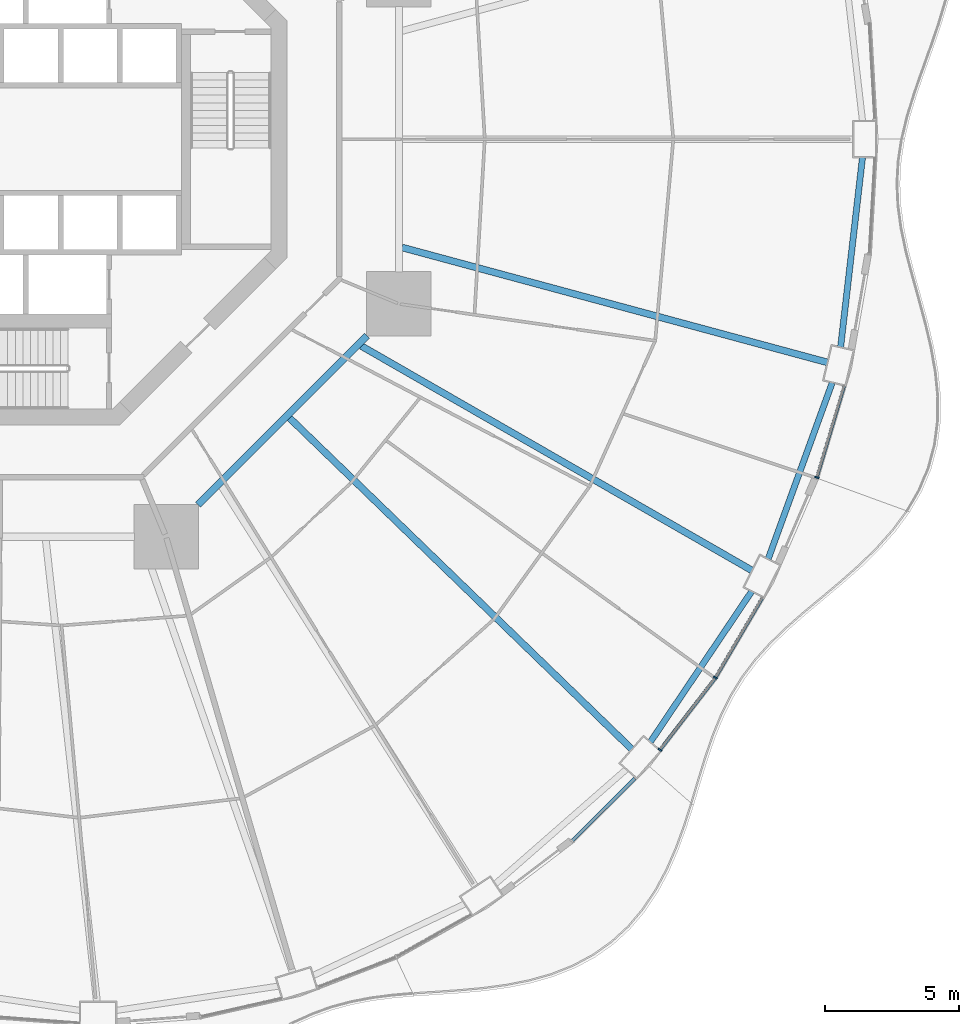
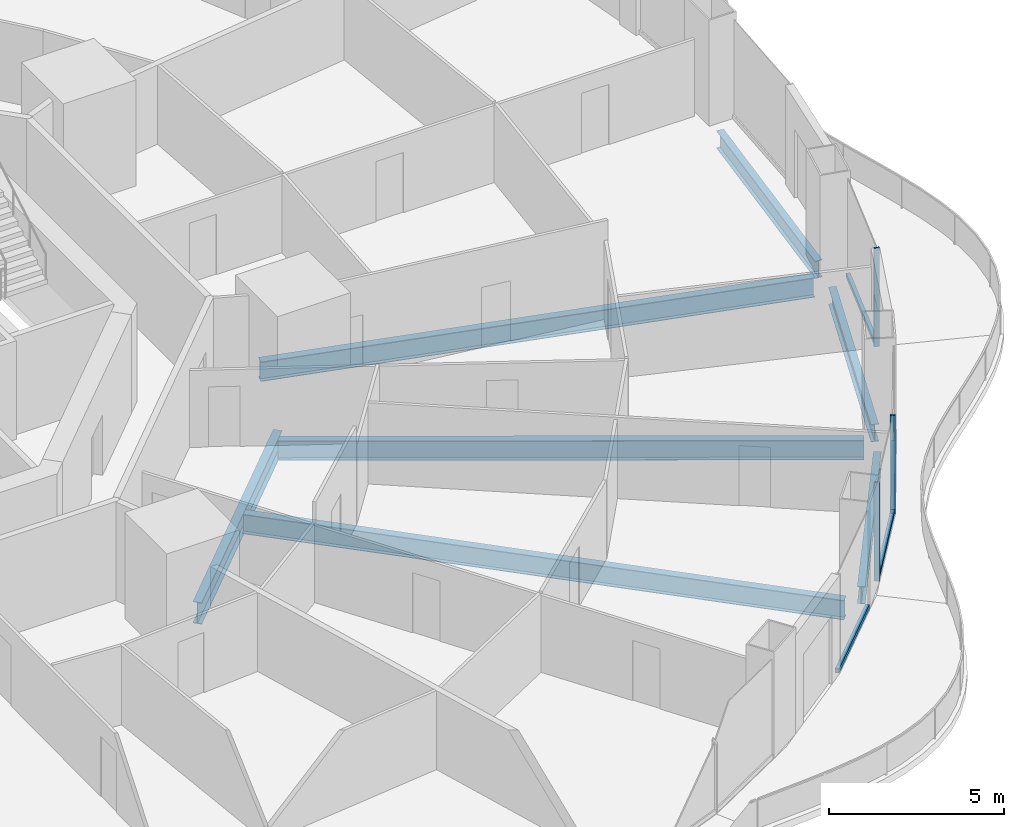
# One storey, part 5 of 22: 7 beams, 7 members, 4 elements without a shape of their own.
"""IFC4 building model written with IfcOpenShell, lengths in metres."""

from ifc_helpers import new_model, si_unit, direction, frame, origin, origin_2d, place, context, subcontext, project, spatial, rectangle, i_section, extrude, material, layer, layer_set, material_profile, profile_set, type_object, element, aggregate, save


model = new_model("IFC4")

# Units and contexts
model_context = context("Model", 3, precision=1e-05, world=origin(), true_north=direction((0.0, 1.0)))
body_context = subcontext(model_context, "Body", "Model", "MODEL_VIEW")
ifc_project = project(units=[si_unit("LENGTHUNIT", "METRE"), si_unit("AREAUNIT", "SQUARE_METRE"), si_unit("VOLUMEUNIT", "CUBIC_METRE"), si_unit("PLANEANGLEUNIT", "RADIAN"), si_unit("MASSUNIT", "GRAM", prefix="KILO")], contexts=[model_context])

# Site, building, storey
site_placement = place(None, origin())
site = spatial("IfcSite", under=ifc_project, at=site_placement, CompositionType="ELEMENT")
building_placement = place(site_placement, origin())
building = spatial("IfcBuilding", under=site, at=building_placement, Name="Nagisa Residences", CompositionType="ELEMENT")
storey_placement = place(building_placement, frame((0.0, 0.0, 45.5)))
storey = spatial("IfcBuildingStorey", under=building, at=storey_placement, Name="L10", CompositionType="ELEMENT", Elevation=45.5)

# Curtain wall, member
ifc_material_1 = material(Name="Concrete-coloured aluminium curtain wall system", Category="concrete")
ifc_layer = layer(ifc_material_1, 0.159912109375)
ifc_layer_set = layer_set([ifc_layer], Name="CW1 CURTAIN WALL")
curtain_wall_type = type_object("IfcCurtainWallType", Name="CW1 CURTAIN WALL", PredefinedType="NOTDEFINED", material=ifc_layer_set)
curtain_wall_1_placement = place(storey_placement, origin())
curtain_wall_1 = element("IfcCurtainWall", 1, at=curtain_wall_1_placement, inside=storey, type_object=curtain_wall_type, Name="cw:CW1:L10:42", PredefinedType="NOTDEFINED")
ifc_material_2 = material(Name="Concrete-coloured aluminium", Category="concrete")
ifc_material_profile_1 = material_profile(ifc_material_2, rectangle(XDim=0.159912109375, YDim=0.06005859375, at=origin_2d()), Name="CW1 MULLION 160x60")
ifc_profile_set_1 = profile_set([ifc_material_profile_1], Name="Concrete-coloured aluminium")
member_type_1 = type_object("IfcMemberType", Name="CW1 MULLION 160x60", PredefinedType="MULLION", material=ifc_profile_set_1)
member_1_placement = place(storey_placement, frame((24.48828125, -22.70751953125, 0.0), z_axis=(0.0, 0.0, 1.0), x_axis=(-0.792070340816, 0.610429828235, 0.0)))
member_1 = element("IfcMember", 2, at=member_1_placement, type_object=member_type_1, Name="CW1 mullion", PredefinedType="MULLION", context=body_context, shape_type="SweptSolid", body=[
    extrude(rectangle(XDim=0.159912109375, YDim=0.06005859375, at=origin_2d()), origin(), (0.0, 0.0, 1.0), 3.43994140625),
])

curtain_wall_2_placement = place(storey_placement, origin())
curtain_wall_2 = element("IfcCurtainWall", 3, at=curtain_wall_2_placement, inside=storey, type_object=curtain_wall_type, Name="cw:CW1:L10:43", PredefinedType="NOTDEFINED")
member_2_placement = place(storey_placement, frame((26.553466796875, -20.022705078125, 0.0), z_axis=(0.0, 0.0, 1.0), x_axis=(-0.862328898214, 0.506348567002, 0.0)))
member_2 = element("IfcMember", 4, at=member_2_placement, type_object=member_type_1, Name="CW1 mullion", PredefinedType="MULLION", context=body_context, shape_type="SweptSolid", body=[
    extrude(rectangle(XDim=0.159912109375, YDim=0.06005859375, at=origin_2d()), origin(), (0.0, 0.0, 1.0), 3.43994140625),
])

curtain_wall_3_placement = place(storey_placement, origin())
curtain_wall_3 = element("IfcCurtainWall", 5, at=curtain_wall_3_placement, inside=storey, type_object=curtain_wall_type, Name="cw:CW1:L10:45", PredefinedType="NOTDEFINED")
member_3_placement = place(storey_placement, frame((30.324462890625, -12.576904296875, 0.0), z_axis=(0.0, 0.0, 1.0), x_axis=(-0.958271310082, 0.285860274038, 0.0)))
member_3 = element("IfcMember", 6, at=member_3_placement, type_object=member_type_1, Name="CW1 mullion", PredefinedType="MULLION", context=body_context, shape_type="SweptSolid", body=[
    extrude(rectangle(XDim=0.159912109375, YDim=0.06005859375, at=origin_2d()), origin(), (0.0, 0.0, 1.0), 3.43994140625),
])

curtain_wall_4_placement = place(storey_placement, origin())
curtain_wall_4 = element("IfcCurtainWall", 7, at=curtain_wall_4_placement, inside=storey, type_object=curtain_wall_type, Name="cw:CW1:L10:41", PredefinedType="NOTDEFINED")
ifc_material_3 = material(Name="Concrete-coloured aluminium", Category="concrete")
ifc_material_profile_2 = material_profile(ifc_material_3, rectangle(XDim=0.1201171875, YDim=0.14990234375, at=origin_2d()), Name="CW1 TRANSOM 120x150")
ifc_profile_set_2 = profile_set([ifc_material_profile_2], Name="Concrete-coloured aluminium")
member_type_2 = type_object("IfcMemberType", Name="CW1 TRANSOM 120x150", PredefinedType="USERDEFINED", material=ifc_profile_set_2)
member_4_placement = place(storey_placement, frame((21.197509765625, -26.1240234375, 0.074951171875), z_axis=(0.707876350734, 0.706336373176, 0.0), x_axis=(-0.706336373176, 0.707876350734, 0.0)))
member_4 = element("IfcMember", 8, at=member_4_placement, type_object=member_type_2, Name="CW1 transom", ObjectType="TRANSOM", PredefinedType="USERDEFINED", context=body_context, shape_type="SweptSolid", body=[
    extrude(rectangle(XDim=0.1201171875, YDim=0.14990234375, at=origin_2d()), origin(), (0.0, 0.0, 1.0), 3.329345703125),
])
aggregate(curtain_wall_4, [member_4])

# Member
member_5_placement = place(storey_placement, frame((24.469970703125, -22.731201171875, 0.074951171875), z_axis=(0.610457147657, 0.792049285635, 0.0), x_axis=(-0.792049285635, 0.610457147657, 0.0)))
member_5 = element("IfcMember", 9, at=member_5_placement, type_object=member_type_2, Name="CW1 transom", ObjectType="TRANSOM", PredefinedType="USERDEFINED", context=body_context, shape_type="SweptSolid", body=[
    extrude(rectangle(XDim=0.1201171875, YDim=0.14990234375, at=origin_2d()), origin(), (0.0, 0.0, 1.0), 3.3974609375),
])

aggregate(curtain_wall_1, [member_1, member_5])

member_6_placement = place(storey_placement, frame((26.538330078125, -20.048583984375, 0.074951171875), z_axis=(0.506341951316, 0.862332782827, 0.0), x_axis=(-0.862332782827, 0.506341951316, 0.0)))
member_6 = element("IfcMember", 10, at=member_6_placement, type_object=member_type_2, Name="CW1 transom", ObjectType="TRANSOM", PredefinedType="USERDEFINED", context=body_context, shape_type="SweptSolid", body=[
    extrude(rectangle(XDim=0.1201171875, YDim=0.14990234375, at=origin_2d()), origin(), (0.0, 0.0, 1.0), 3.4619140625),
])

aggregate(curtain_wall_2, [member_2, member_6])

member_7_placement = place(storey_placement, frame((30.31591796875, -12.605712890625, 0.074951171875), z_axis=(0.285871309426, 0.958268018065, 0.0), x_axis=(-0.958268018065, 0.285871309426, 0.0)))
member_7 = element("IfcMember", 11, at=member_7_placement, type_object=member_type_2, Name="CW1 transom", ObjectType="TRANSOM", PredefinedType="USERDEFINED", context=body_context, shape_type="SweptSolid", body=[
    extrude(rectangle(XDim=0.1201171875, YDim=0.14990234375, at=origin_2d()), origin(), (0.0, 0.0, 1.0), 3.5654296875),
])

aggregate(curtain_wall_3, [member_3, member_7])

# Beams
ifc_material_4 = material(Name="Steel ASTM A572 Gr 50", Category="steel")
ifc_material_profile_3 = material_profile(ifc_material_4, i_section(OverallWidth=0.264892578125, OverallDepth=0.7529296875, WebThickness=0.01318359375, FlangeThickness=0.01708984375, at=origin_2d()), Name="W760x147")
ifc_profile_set_3 = profile_set([ifc_material_profile_3], Name="Steel ASTM A572 Gr 50")
beam_type_1 = type_object("IfcBeamType", Name="Inner ring beam W760x147", PredefinedType="BEAM", material=ifc_profile_set_3)
beam_1_placement = place(storey_placement, frame((7.308837890625, -13.59619140625, -0.636474609375), z_axis=(0.707106781187, 0.707106781187, 0.0), x_axis=(-0.707106781187, 0.707106781187, 0.0)))
element("IfcBeam", 12, at=beam_1_placement, inside=storey, type_object=beam_type_1, Name="beam:L10:ib7", PredefinedType="BEAM", context=body_context, shape_type="SweptSolid", body=[
    extrude(i_section(OverallWidth=0.264892578125, OverallDepth=0.7529296875, WebThickness=0.01318359375, FlangeThickness=0.01708984375, at=origin_2d()), origin(), (0.0, 0.0, 1.0), 8.8916015625),
])
ifc_material_5 = material(Name="Steel ASTM A572 Gr 50", Category="steel")
ifc_material_profile_4 = material_profile(ifc_material_5, i_section(OverallWidth=0.22802734375, OverallDepth=0.60302734375, WebThickness=0.010498046875, FlangeThickness=0.014892578125, at=origin_2d()), Name="W610x101")
ifc_profile_set_4 = profile_set([ifc_material_profile_4], Name="Steel ASTM A572 Gr 50")
beam_type_2 = type_object("IfcBeamType", Name="Perimeter ring beam W610x101", PredefinedType="BEAM", material=ifc_profile_set_4)
beam_2_placement = place(storey_placement, frame((24.135498046875, -22.411865234375, -0.5615234375), z_axis=(0.558271879663, 0.829658067144, 0.0), x_axis=(-0.829658067144, 0.558271879663, 0.0)))
element("IfcBeam", 13, at=beam_2_placement, inside=storey, type_object=beam_type_2, Name="beam:L10:pb22", PredefinedType="BEAM", context=body_context, shape_type="SweptSolid", body=[
    extrude(i_section(OverallWidth=0.22802734375, OverallDepth=0.60302734375, WebThickness=0.010498046875, FlangeThickness=0.014892578125, at=origin_2d()), origin(), (0.0, 0.0, 1.0), 6.74169921875),
])
beam_3_placement = place(storey_placement, frame((28.515625, -15.60595703125, -0.5615234375), z_axis=(0.341411143183, 0.939914055279, 0.0), x_axis=(-0.939914055279, 0.341411143183, 0.0)))
element("IfcBeam", 14, at=beam_3_placement, inside=storey, type_object=beam_type_2, Name="beam:L10:pb23", PredefinedType="BEAM", context=body_context, shape_type="SweptSolid", body=[
    extrude(i_section(OverallWidth=0.22802734375, OverallDepth=0.60302734375, WebThickness=0.010498046875, FlangeThickness=0.014892578125, at=origin_2d()), origin(), (0.0, 0.0, 1.0), 6.96923828125),
])
beam_4_placement = place(storey_placement, frame((31.20751953125, -7.7314453125, -0.5615234375), z_axis=(0.114673717321, 0.993403210462, 0.0), x_axis=(-0.993403210462, 0.114673717321, 0.0)))
element("IfcBeam", 15, at=beam_4_placement, inside=storey, type_object=beam_type_2, Name="beam:L10:pb24", PredefinedType="BEAM", context=body_context, shape_type="SweptSolid", body=[
    extrude(i_section(OverallWidth=0.22802734375, OverallDepth=0.60302734375, WebThickness=0.010498046875, FlangeThickness=0.014892578125, at=origin_2d()), origin(), (0.0, 0.0, 1.0), 7.09814453125),
])
ifc_material_6 = material(Name="Steel ASTM A572 Gr 50", Category="steel")
ifc_material_profile_5 = material_profile(ifc_material_6, i_section(OverallWidth=0.25390625, OverallDepth=0.68408203125, WebThickness=0.012451171875, FlangeThickness=0.018798828125, at=origin_2d()), Name="W690x140")
ifc_profile_set_5 = profile_set([ifc_material_profile_5], Name="Steel ASTM A572 Gr 50")
beam_type_3 = type_object("IfcBeamType", Name="Radial beam W690x140", PredefinedType="BEAM", material=ifc_profile_set_5)
beam_5_placement = place(storey_placement, frame((23.443115234375, -22.681640625, -0.60205078125), z_axis=(-0.718678305776, 0.695342716081, 0.0), x_axis=(-0.695342716081, -0.718678305776, 0.0)))
element("IfcBeam", 16, at=beam_5_placement, inside=storey, type_object=beam_type_3, Name="beam:L10:rb22", PredefinedType="BEAM", context=body_context, shape_type="SweptSolid", body=[
    extrude(i_section(OverallWidth=0.25390625, OverallDepth=0.68408203125, WebThickness=0.012451171875, FlangeThickness=0.018798828125, at=origin_2d()), origin(), (0.0, 0.0, 1.0), 17.722900390625),
])
beam_6_placement = place(storey_placement, frame((27.908447265625, -16.035400390625, -0.60205078125), z_axis=(-0.867068052258, 0.498189715623, 0.0), x_axis=(-0.498189715623, -0.867068052258, 0.0)))
element("IfcBeam", 17, at=beam_6_placement, inside=storey, type_object=beam_type_3, Name="beam:L10:rb23", PredefinedType="BEAM", context=body_context, shape_type="SweptSolid", body=[
    extrude(i_section(OverallWidth=0.25390625, OverallDepth=0.68408203125, WebThickness=0.012451171875, FlangeThickness=0.018798828125, at=origin_2d()), origin(), (0.0, 0.0, 1.0), 16.758056640625),
])
beam_7_placement = place(storey_placement, frame((30.713623046875, -8.29931640625, -0.60205078125), z_axis=(-0.965375968847, 0.260862490162, 0.0), x_axis=(-0.260862490162, -0.965375968847, 0.0)))
element("IfcBeam", 18, at=beam_7_placement, inside=storey, type_object=beam_type_3, Name="beam:L10:rb24", PredefinedType="BEAM", context=body_context, shape_type="SweptSolid", body=[
    extrude(i_section(OverallWidth=0.25390625, OverallDepth=0.68408203125, WebThickness=0.012451171875, FlangeThickness=0.018798828125, at=origin_2d()), origin(), (0.0, 0.0, 1.0), 16.3857421875),
])

save(model, "model.ifc")
